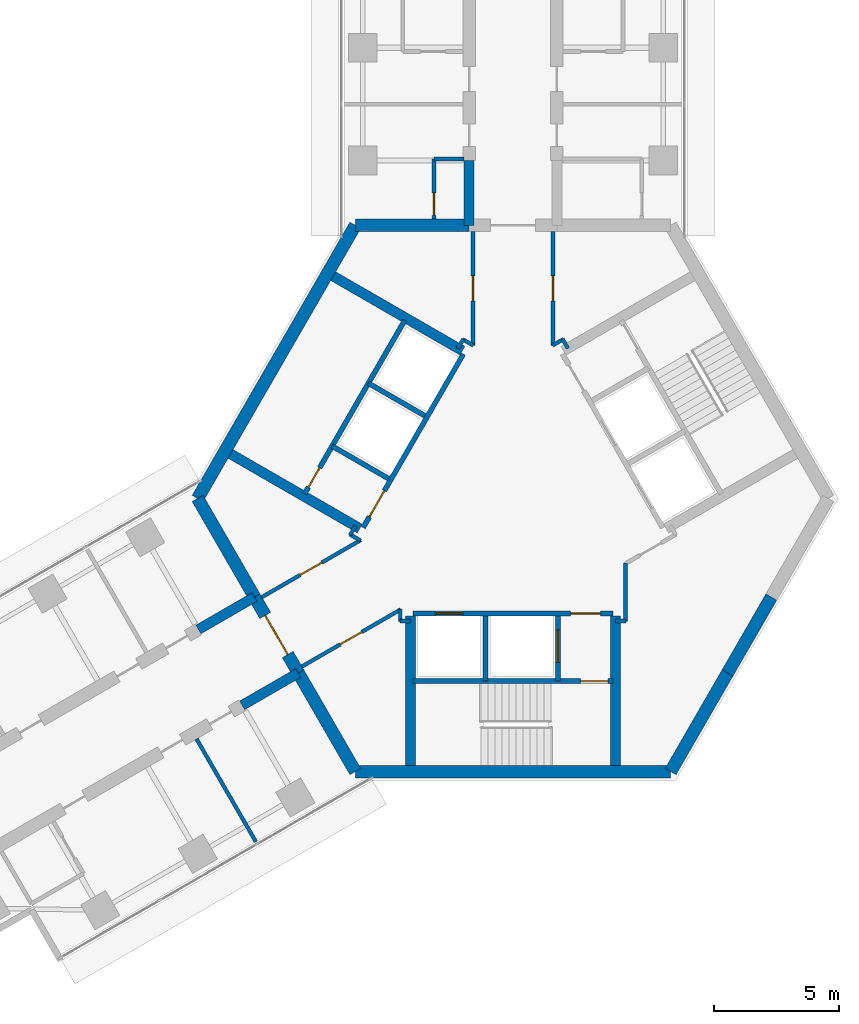
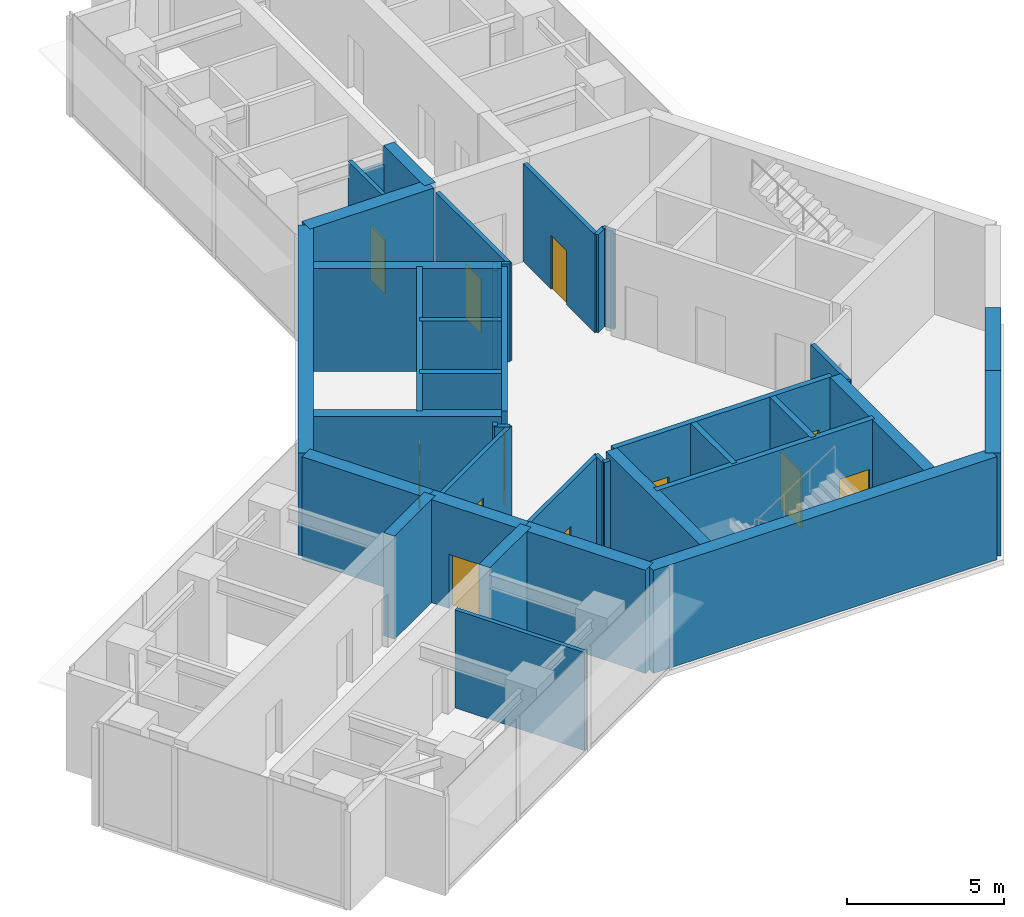
# One storey, part 14 of 17: 40 walls, 12 doors, 12 openings.
"""IFC4 building model written with IfcOpenShell, lengths in metres."""

from ifc_helpers import new_model, si_unit, direction, frame, frame_2d, origin, place, context, subcontext, project, spatial, rectangle, extrude, material, layer, layer_set, type_object, element, fill, save


model = new_model("IFC4")

# Units and contexts
model_context = context("Model", 3, precision=1e-05, world=origin(), true_north=direction((0.0, 1.0)))
body_context = subcontext(model_context, "Body", "Model", "MODEL_VIEW")
ifc_project = project(units=[si_unit("LENGTHUNIT", "METRE"), si_unit("AREAUNIT", "SQUARE_METRE"), si_unit("VOLUMEUNIT", "CUBIC_METRE"), si_unit("PLANEANGLEUNIT", "RADIAN"), si_unit("MASSUNIT", "GRAM", prefix="KILO")], contexts=[model_context])

# Site, building, storey
site_placement = place(None, origin())
site = spatial("IfcSite", under=ifc_project, at=site_placement, CompositionType="ELEMENT")
building_placement = place(site_placement, origin())
building = spatial("IfcBuilding", under=site, at=building_placement, Name="Upepo Twin Towers", CompositionType="ELEMENT")
storey_placement = place(building_placement, frame((0.0, 0.0, 202.5)))
storey = spatial("IfcBuildingStorey", under=building, at=storey_placement, Name="L49", CompositionType="ELEMENT", Elevation=202.5)

# Walls
ifc_material_1 = material(Name="Concrete C60/75", Category="concrete")
ifc_layer_1 = layer(ifc_material_1, 0.39990234375)
ifc_layer_set_1 = layer_set([ifc_layer_1], Name="Concrete C60/75")
wall_type_1 = type_object("IfcWallType", Name="Buttress wall 400 RC", PredefinedType="SHEAR", material=ifc_layer_set_1)
wall_1_placement = place(storey_placement, frame((56.75, -7.091552734375, 0.0), z_axis=(0.0, 0.0, 1.0), x_axis=(0.0, 1.0, 0.0)))
element("IfcWall", 1, at=wall_1_placement, inside=storey, type_object=wall_type_1, Name="T2 wing A buttress wall L", PredefinedType="SHEAR", context=body_context, shape_type="SweptSolid", body=[
    extrude(rectangle(XDim=2.591552734375, YDim=0.39990234375, at=frame_2d((1.2958984375, 0.0))), origin(), (0.0, 0.0, 1.0), 4.0),
])
for number, where, z_axis, x_axis, name in (
    (2, (49.92822265625, -24.9697265625, 0.0), (0.0, 0.0, 1.0), (-0.866031863473, -0.499988811324, 0.0), "T2 wing B buttress wall L"),
    (3, (48.17822265625, -21.938720703125, 0.0), (0.0, 0.0, 1.0), (-0.866072649678, -0.499918158782, 0.0), "T2 wing B buttress wall R"),
):
    element("IfcWall", number, at=place(storey_placement, frame(where, z_axis=z_axis, x_axis=x_axis)), inside=storey, type_object=wall_type_1, Name=name, PredefinedType="SHEAR", context=body_context, shape_type="SweptSolid", body=[
        extrude(rectangle(XDim=2.591796875, YDim=0.39990234375, at=frame_2d((1.2958984375, 0.0))), origin(), (0.0, 0.0, 1.0), 4.0),
    ])
ifc_material_2 = material(Name="Concrete C60/75", Category="concrete")
ifc_layer_2 = layer(ifc_material_2, 0.5)
ifc_layer_set_2 = layer_set([ifc_layer_2], Name="Concrete C60/75")
wall_type_2 = type_object("IfcWallType", Name="Core wall 500 RC", PredefinedType="SHEAR", material=ifc_layer_set_2)
wall_2_placement = place(storey_placement, frame((56.75, -7.091552734375, 0.0), z_axis=(0.0, 0.0, 1.0), x_axis=(-1.0, 0.0, 0.0)))
element("IfcWall", 4, at=wall_2_placement, inside=storey, type_object=wall_type_2, Name="T2 core wall 000 L", PredefinedType="SHEAR", context=body_context, shape_type="SweptSolid", body=[
    extrude(rectangle(XDim=4.5478515625, YDim=0.5, at=frame_2d((2.27392578125, 0.0))), origin(), (0.0, 0.0, 1.0), 4.0),
])
wall_3_placement = place(storey_placement, frame((52.2021484375, -7.091552734375, 0.0), z_axis=(0.0, 0.0, 1.0), x_axis=(-0.500005998175, -0.866021940709, 0.0)))
element("IfcWall", 5, at=wall_3_placement, inside=storey, type_object=wall_type_2, Name="T2 core wall 060", PredefinedType="SHEAR", context=body_context, shape_type="SweptSolid", body=[
    extrude(rectangle(XDim=12.595947265625, YDim=0.5, at=frame_2d((6.2978515625, 0.0))), origin(), (0.0, 0.0, 1.0), 4.0),
])
wall_4_placement = place(storey_placement, frame((45.904052734375, -18.0, 0.0), z_axis=(0.0, 0.0, 1.0), x_axis=(0.500024481964, -0.866011268655, 0.0)))
element("IfcWall", 6, at=wall_4_placement, inside=storey, type_object=wall_type_2, Name="T2 core wall 120 R", PredefinedType="SHEAR", context=body_context, shape_type="SweptSolid", body=[
    extrude(rectangle(XDim=4.548095703125, YDim=0.5, at=frame_2d((2.27392578125, 0.0))), origin(), (0.0, 0.0, 1.0), 4.0),
])

# Wall, opening, door
wall_5_placement = place(storey_placement, frame((48.17822265625, -21.938720703125, 0.0), z_axis=(0.0, 0.0, 1.0), x_axis=(0.500010275428, -0.866019471182, 0.0)))
wall_5 = element("IfcWall", 7, at=wall_5_placement, inside=storey, type_object=wall_type_2, Name="T2 core wall 120", PredefinedType="SHEAR", context=body_context, shape_type="SweptSolid", body=[
    extrude(rectangle(XDim=3.5, YDim=0.5, at=frame_2d((1.75, 0.0))), origin(), (0.0, 0.0, 1.0), 4.0),
])
opening_1_placement = place(wall_5_placement, frame((0.85009765625, 0.0, 0.0)))
opening_1 = element("IfcOpeningElement", 8, at=opening_1_placement, cuts=wall_5, Name="Opening D2", PredefinedType="OPENING", context=body_context, shape_type="SweptSolid", body=[
    extrude(rectangle(XDim=1.800048828125, YDim=2.10009765625, at=frame_2d((0.89990234375, 1.050048828125))), frame((0.0, 0.260009765625, 0.0), z_axis=(0.0, -1.0, 0.0), x_axis=(1.0, 0.0, 0.0)), (0.0, 0.0, 1.0), 0.52001953125),
])
ifc_material_3 = material(Name="Timber doorset", Category="wood")
door_type_1 = type_object("IfcDoorType", Name="Corridor double door 1800 FD60", OperationType="DOUBLE_DOOR_DOUBLE_SWING", PredefinedType="DOOR", material=ifc_material_3)
door_1_placement = place(opening_1_placement, origin())
door_1 = element("IfcDoor", 9, at=door_1_placement, inside=storey, type_object=door_type_1, Name="T2 L49 wing B corridor door", OperationType="DOUBLE_DOOR_DOUBLE_SWING", OverallHeight=2.10009765625, OverallWidth=1.800048828125, PredefinedType="DOOR", context=body_context, shape_type="SweptSolid", body=[
    extrude(rectangle(XDim=1.800048828125, YDim=2.10009765625, at=frame_2d((0.89990234375, 1.050048828125))), frame((0.0, 0.02490234375, 0.0), z_axis=(0.0, -1.0, 0.0), x_axis=(1.0, 0.0, 0.0)), (0.0, 0.0, 1.0), 0.050048828125),
])
fill(opening_1, door_1)

# Walls
wall_6_placement = place(storey_placement, frame((49.92822265625, -24.9697265625, 0.0), z_axis=(0.0, 0.0, 1.0), x_axis=(0.499984222037, -0.866034513004, 0.0)))
element("IfcWall", 10, at=wall_6_placement, inside=storey, type_object=wall_type_2, Name="T2 core wall 120 L", PredefinedType="SHEAR", context=body_context, shape_type="SweptSolid", body=[
    extrude(rectangle(XDim=4.548095703125, YDim=0.5, at=frame_2d((2.27392578125, 0.0))), origin(), (0.0, 0.0, 1.0), 4.0),
])
wall_7_placement = place(storey_placement, frame((52.2021484375, -28.908447265625, 0.0), z_axis=(0.0, 0.0, 1.0), x_axis=(1.0, 0.0, 0.0)))
element("IfcWall", 11, at=wall_7_placement, inside=storey, type_object=wall_type_2, Name="T2 core wall 180", PredefinedType="SHEAR", context=body_context, shape_type="SweptSolid", body=[
    extrude(rectangle(XDim=12.595703125, YDim=0.5, at=frame_2d((6.2978515625, 0.0))), origin(), (0.0, 0.0, 1.0), 4.0),
])
wall_8_placement = place(storey_placement, frame((64.7978515625, -28.908447265625, 0.0), z_axis=(0.0, 0.0, 1.0), x_axis=(0.499984222037, 0.866034513004, 0.0)))
element("IfcWall", 12, at=wall_8_placement, inside=storey, type_object=wall_type_2, Name="T2 core wall 240 R", PredefinedType="SHEAR", context=body_context, shape_type="SweptSolid", body=[
    extrude(rectangle(XDim=4.548095703125, YDim=0.5, at=frame_2d((2.27392578125, 0.0))), origin(), (0.0, 0.0, 1.0), 4.0),
])
wall_9_placement = place(storey_placement, frame((67.07177734375, -24.9697265625, 0.0), z_axis=(0.0, 0.0, 1.0), x_axis=(0.500010275428, 0.866019471182, 0.0)))
element("IfcWall", 13, at=wall_9_placement, inside=storey, type_object=wall_type_2, Name="T2 core wall 240", PredefinedType="SHEAR", context=body_context, shape_type="SweptSolid", body=[
    extrude(rectangle(XDim=3.5, YDim=0.5, at=frame_2d((1.75, 0.0))), origin(), (0.0, 0.0, 1.0), 4.0),
])

# Wall, opening, door
ifc_material_4 = material(Name="Concrete C40/50", Category="concrete")
ifc_layer_3 = layer(ifc_material_4, 0.199951171875)
ifc_layer_set_3 = layer_set([ifc_layer_3], Name="Concrete C40/50")
wall_type_3 = type_object("IfcWallType", Name="Shaft wall 200 RC", PredefinedType="SHEAR", material=ifc_layer_set_3)
wall_10_placement = place(storey_placement, frame((56.516357421875, -12.23583984375, 0.0), z_axis=(0.0, 0.0, 1.0), x_axis=(-0.49999894854, -0.866026010844, 0.0)))
wall_10 = element("IfcWall", 14, at=wall_10_placement, inside=storey, type_object=wall_type_3, Name="T2 core W60 front wall", PredefinedType="SHEAR", context=body_context, shape_type="SweptSolid", body=[
    extrude(rectangle(XDim=8.0, YDim=0.199951171875, at=frame_2d((4.0, 0.0))), origin(), (0.0, 0.0, 1.0), 4.0),
])
opening_2_placement = place(wall_10_placement, frame((6.300048828125, 0.0, 0.0)))
opening_2 = element("IfcOpeningElement", 15, at=opening_2_placement, cuts=wall_10, Name="Opening D4", PredefinedType="OPENING", context=body_context, shape_type="SweptSolid", body=[
    extrude(rectangle(XDim=1.199951171875, YDim=2.10009765625, at=frame_2d((0.60009765625, 1.050048828125))), frame((0.0, 0.10986328125, 0.0), z_axis=(0.0, -1.0, 0.0), x_axis=(1.0, 0.0, 0.0)), (0.0, 0.0, 1.0), 0.219970703125),
])
ifc_material_5 = material(Name="Timber doorset", Category="wood")
door_type_2 = type_object("IfcDoorType", Name="Lobby door 1200 FD60", OperationType="SINGLE_SWING_LEFT", PredefinedType="DOOR", material=ifc_material_5)
door_2_placement = place(opening_2_placement, origin())
door_2 = element("IfcDoor", 16, at=door_2_placement, inside=storey, type_object=door_type_2, Name="T2 L49 W60 lobby door", OperationType="SINGLE_SWING_RIGHT", OverallHeight=2.10009765625, OverallWidth=1.199951171875, PredefinedType="DOOR", context=body_context, shape_type="SweptSolid", body=[
    extrude(rectangle(XDim=1.199951171875, YDim=2.10009765625, at=frame_2d((0.60009765625, 1.050048828125))), frame((0.0, 0.02490234375, 0.0), z_axis=(0.0, -1.0, 0.0), x_axis=(1.0, 0.0, 0.0)), (0.0, 0.0, 1.0), 0.050048828125),
])
fill(opening_2, door_2)

# Walls
for number, where, z_axis, x_axis, name in (
    (17, (54.979736328125, -14.697265625, 0.0), (0.0, 0.0, 1.0), (-0.866062058628, 0.499936506574, 0.0), "T2 core W60 shaft divider"),
    (18, (53.52978515625, -17.208740234375, 0.0), (0.0, 0.0, 1.0), (-0.866062058628, 0.499936506574, 0.0), "T2 core W60 lobby wall"),
):
    element("IfcWall", number, at=place(storey_placement, frame(where, z_axis=z_axis, x_axis=x_axis)), inside=storey, type_object=wall_type_3, Name=name, PredefinedType="SHEAR", context=body_context, shape_type="SweptSolid", body=[
        extrude(rectangle(XDim=2.599853515625, YDim=0.199951171875, at=frame_2d((1.2998046875, 0.0))), origin(), (0.0, 0.0, 1.0), 4.0),
    ])

# Wall, opening, door
wall_11_placement = place(storey_placement, frame((54.177978515625, -10.885986328125, 0.0), z_axis=(0.0, 0.0, 1.0), x_axis=(-0.49999894854, -0.866026010844, 0.0)))
wall_11 = element("IfcWall", 19, at=wall_11_placement, inside=storey, type_object=wall_type_3, Name="T2 core W60 stair wall", PredefinedType="SHEAR", context=body_context, shape_type="SweptSolid", body=[
    extrude(rectangle(XDim=8.0, YDim=0.199951171875, at=frame_2d((4.0, 0.0))), origin(), (0.0, 0.0, 1.0), 4.0),
])
opening_3_placement = place(wall_11_placement, frame((6.800048828125, 0.0, 0.0)))
opening_3 = element("IfcOpeningElement", 20, at=opening_3_placement, cuts=wall_11, Name="Opening D9", PredefinedType="OPENING", context=body_context, shape_type="SweptSolid", body=[
    extrude(rectangle(XDim=0.89990234375, YDim=2.10009765625, at=frame_2d((0.449951171875, 1.050048828125))), frame((0.0, 0.10986328125, 0.0), z_axis=(0.0, -1.0, 0.0), x_axis=(1.0, 0.0, 0.0)), (0.0, 0.0, 1.0), 0.219970703125),
])
ifc_material_6 = material(Name="Timber doorset", Category="wood")
door_type_3 = type_object("IfcDoorType", Name="Riser door 900 FD60", OperationType="SINGLE_SWING_LEFT", PredefinedType="DOOR", material=ifc_material_6)
door_3_placement = place(opening_3_placement, origin())
door_3 = element("IfcDoor", 21, at=door_3_placement, inside=storey, type_object=door_type_3, Name="T2 L49 riser door", OperationType="SINGLE_SWING_RIGHT", OverallHeight=2.10009765625, OverallWidth=0.89990234375, PredefinedType="DOOR", context=body_context, shape_type="SweptSolid", body=[
    extrude(rectangle(XDim=0.89990234375, YDim=2.10009765625, at=frame_2d((0.449951171875, 1.050048828125))), frame((0.0, 0.02490234375, 0.0), z_axis=(0.0, -1.0, 0.0), x_axis=(1.0, 0.0, 0.0)), (0.0, 0.0, 1.0), 0.050048828125),
])
fill(opening_3, door_3)

# Wall, openings, doors
wall_12_placement = place(storey_placement, frame((54.5, -22.60009765625, 0.0), z_axis=(0.0, 0.0, 1.0), x_axis=(1.0, 0.0, 0.0)))
wall_12 = element("IfcWall", 22, at=wall_12_placement, inside=storey, type_object=wall_type_3, Name="T2 core W180 front wall", PredefinedType="SHEAR", context=body_context, shape_type="SweptSolid", body=[
    extrude(rectangle(XDim=8.0, YDim=0.199951171875, at=frame_2d((4.0, 0.0))), origin(), (0.0, 0.0, 1.0), 4.0),
])
opening_4_placement = place(wall_12_placement, frame((6.300048828125, 0.0, 0.0)))
opening_4 = element("IfcOpeningElement", 23, at=opening_4_placement, cuts=wall_12, Name="Opening D4", PredefinedType="OPENING", context=body_context, shape_type="SweptSolid", body=[
    extrude(rectangle(XDim=1.199951171875, YDim=2.10009765625, at=frame_2d((0.60009765625, 1.050048828125))), frame((0.0, 0.10986328125, 0.0), z_axis=(0.0, -1.0, 0.0), x_axis=(1.0, 0.0, 0.0)), (0.0, 0.0, 1.0), 0.219970703125),
])
opening_5_placement = place(wall_12_placement, frame((0.89990234375, 0.0, 0.0)))
opening_5 = element("IfcOpeningElement", 24, at=opening_5_placement, cuts=wall_12, Name="Opening LD1", PredefinedType="OPENING", context=body_context, shape_type="SweptSolid", body=[
    extrude(rectangle(XDim=1.10009765625, YDim=2.199951171875, at=frame_2d((0.550048828125, 1.10009765625))), frame((0.0, 0.10986328125, 0.0), z_axis=(0.0, -1.0, 0.0), x_axis=(1.0, 0.0, 0.0)), (0.0, 0.0, 1.0), 0.219970703125),
])
ifc_material_7 = material(Name="Steel doorset", Category="steel")
door_type_4 = type_object("IfcDoorType", Name="Lift landing door 1100", OperationType="DOUBLE_DOOR_SLIDING", PredefinedType="DOOR", material=ifc_material_7)
door_4_placement = place(opening_5_placement, origin())
door_4 = element("IfcDoor", 25, at=door_4_placement, inside=storey, type_object=door_type_4, Name="T2 L49 lift SV1 landing door", OperationType="DOUBLE_DOOR_SLIDING", OverallHeight=2.199951171875, OverallWidth=1.10009765625, PredefinedType="DOOR", context=body_context, shape_type="SweptSolid", body=[
    extrude(rectangle(XDim=1.10009765625, YDim=2.199951171875, at=frame_2d((0.550048828125, 1.10009765625))), frame((0.0, 0.02490234375, 0.0), z_axis=(0.0, -1.0, 0.0), x_axis=(1.0, 0.0, 0.0)), (0.0, 0.0, 1.0), 0.050048828125),
])
fill(opening_5, door_4)
door_5_placement = place(opening_4_placement, origin())
door_5 = element("IfcDoor", 26, at=door_5_placement, inside=storey, type_object=door_type_2, Name="T2 L49 W180 lobby door", OperationType="SINGLE_SWING_RIGHT", OverallHeight=2.10009765625, OverallWidth=1.199951171875, PredefinedType="DOOR", context=body_context, shape_type="SweptSolid", body=[
    extrude(rectangle(XDim=1.199951171875, YDim=2.10009765625, at=frame_2d((0.60009765625, 1.050048828125))), frame((0.0, 0.02490234375, 0.0), z_axis=(0.0, -1.0, 0.0), x_axis=(1.0, 0.0, 0.0)), (0.0, 0.0, 1.0), 0.050048828125),
])
fill(opening_4, door_5)

# Wall
wall_13_placement = place(storey_placement, frame((57.39990234375, -22.699951171875, 0.0), z_axis=(0.0, 0.0, 1.0), x_axis=(0.0, -1.0, 0.0)))
element("IfcWall", 27, at=wall_13_placement, inside=storey, type_object=wall_type_3, Name="T2 core W180 shaft divider", PredefinedType="SHEAR", context=body_context, shape_type="SweptSolid", body=[
    extrude(rectangle(XDim=2.60009765625, YDim=0.199951171875, at=frame_2d((1.300048828125, 0.0))), origin(), (0.0, 0.0, 1.0), 4.0),
])

# Wall, opening, door
wall_14_placement = place(storey_placement, frame((60.300048828125, -22.699951171875, 0.0), z_axis=(0.0, 0.0, 1.0), x_axis=(0.0, -1.0, 0.0)))
wall_14 = element("IfcWall", 28, at=wall_14_placement, inside=storey, type_object=wall_type_3, Name="T2 core W180 lobby wall", PredefinedType="SHEAR", context=body_context, shape_type="SweptSolid", body=[
    extrude(rectangle(XDim=2.60009765625, YDim=0.199951171875, at=frame_2d((1.300048828125, 0.0))), origin(), (0.0, 0.0, 1.0), 4.0),
])
opening_6_placement = place(wall_14_placement, frame((0.550048828125, 0.0, 0.0)))
opening_6 = element("IfcOpeningElement", 29, at=opening_6_placement, cuts=wall_14, Name="Opening LD2", PredefinedType="OPENING", context=body_context, shape_type="SweptSolid", body=[
    extrude(rectangle(XDim=1.300048828125, YDim=2.199951171875, at=frame_2d((0.64990234375, 1.10009765625))), frame((0.0, 0.10986328125, 0.0), z_axis=(0.0, -1.0, 0.0), x_axis=(1.0, 0.0, 0.0)), (0.0, 0.0, 1.0), 0.219970703125),
])
ifc_material_8 = material(Name="Steel doorset", Category="steel")
door_type_5 = type_object("IfcDoorType", Name="Firefighting lift landing door 1300", OperationType="DOUBLE_DOOR_SLIDING", PredefinedType="DOOR", material=ifc_material_8)
door_6_placement = place(opening_6_placement, origin())
door_6 = element("IfcDoor", 30, at=door_6_placement, inside=storey, type_object=door_type_5, Name="T2 L49 firefighting lift landing door", OperationType="DOUBLE_DOOR_SLIDING", OverallHeight=2.199951171875, OverallWidth=1.300048828125, PredefinedType="DOOR", context=body_context, shape_type="SweptSolid", body=[
    extrude(rectangle(XDim=1.300048828125, YDim=2.199951171875, at=frame_2d((0.64990234375, 1.10009765625))), frame((0.0, 0.02490234375, 0.0), z_axis=(0.0, -1.0, 0.0), x_axis=(1.0, 0.0, 0.0)), (0.0, 0.0, 1.0), 0.050048828125),
])
fill(opening_6, door_6)

wall_15_placement = place(storey_placement, frame((54.5, -25.300048828125, 0.0), z_axis=(0.0, 0.0, 1.0), x_axis=(1.0, 0.0, 0.0)))
wall_15 = element("IfcWall", 31, at=wall_15_placement, inside=storey, type_object=wall_type_3, Name="T2 core W180 stair wall", PredefinedType="SHEAR", context=body_context, shape_type="SweptSolid", body=[
    extrude(rectangle(XDim=8.0, YDim=0.199951171875, at=frame_2d((4.0, 0.0))), origin(), (0.0, 0.0, 1.0), 4.0),
])
opening_7_placement = place(wall_15_placement, frame((6.699951171875, 0.0, 0.0)))
opening_7 = element("IfcOpeningElement", 32, at=opening_7_placement, cuts=wall_15, Name="Opening D3", PredefinedType="OPENING", context=body_context, shape_type="SweptSolid", body=[
    extrude(rectangle(XDim=1.10009765625, YDim=2.10009765625, at=frame_2d((0.550048828125, 1.050048828125))), frame((0.0, 0.10986328125, 0.0), z_axis=(0.0, -1.0, 0.0), x_axis=(1.0, 0.0, 0.0)), (0.0, 0.0, 1.0), 0.219970703125),
])
ifc_material_9 = material(Name="Timber doorset", Category="wood")
door_type_6 = type_object("IfcDoorType", Name="Stair door 1100 FD60", OperationType="SINGLE_SWING_LEFT", PredefinedType="DOOR", material=ifc_material_9)
door_7_placement = place(opening_7_placement, origin())
door_7 = element("IfcDoor", 33, at=door_7_placement, inside=storey, type_object=door_type_6, Name="T2 L49 stair door", OperationType="SINGLE_SWING_RIGHT", OverallHeight=2.10009765625, OverallWidth=1.10009765625, PredefinedType="DOOR", context=body_context, shape_type="SweptSolid", body=[
    extrude(rectangle(XDim=1.10009765625, YDim=2.10009765625, at=frame_2d((0.550048828125, 1.050048828125))), frame((0.0, 0.02490234375, 0.0), z_axis=(0.0, -1.0, 0.0), x_axis=(1.0, 0.0, 0.0)), (0.0, 0.0, 1.0), 0.050048828125),
])
fill(opening_7, door_7)

# Walls
ifc_material_10 = material(Name="Concrete C40/50", Category="concrete")
ifc_layer_4 = layer(ifc_material_10, 0.39990234375)
ifc_layer_set_4 = layer_set([ifc_layer_4], Name="Concrete C40/50")
wall_type_4 = type_object("IfcWallType", Name="Shaft wall 400 RC", PredefinedType="SHEAR", material=ifc_layer_set_4)
wall_16_placement = place(storey_placement, frame((52.379638671875, -19.20068359375, 0.0), z_axis=(0.0, 0.0, 1.0), x_axis=(-0.866012946976, 0.500021575205, 0.0)))
element("IfcWall", 34, at=wall_16_placement, inside=storey, type_object=wall_type_4, Name="T2 core W60 side wall N", PredefinedType="SHEAR", context=body_context, shape_type="SweptSolid", body=[
    extrude(rectangle(XDim=5.958251953125, YDim=0.39990234375, at=frame_2d((2.97900390625, 0.0))), origin(), (0.0, 0.0, 1.0), 4.0),
])
for number, where, z_axis, x_axis, name in (
    (35, (56.479736328125, -12.099365234375, 0.0), (0.0, 0.0, 1.0), (-0.86602319114, 0.500003832394, 0.0), "T2 core W60 side wall S"),
    (36, (62.60009765625, -22.699951171875, 0.0), (0.0, 0.0, 1.0), (0.0, -1.0, 0.0), "T2 core W180 side wall N"),
    (37, (54.39990234375, -22.699951171875, 0.0), (0.0, 0.0, 1.0), (0.0, -1.0, 0.0), "T2 core W180 side wall S"),
):
    element("IfcWall", number, at=place(storey_placement, frame(where, z_axis=z_axis, x_axis=x_axis)), inside=storey, type_object=wall_type_4, Name=name, PredefinedType="SHEAR", context=body_context, shape_type="SweptSolid", body=[
        extrude(rectangle(XDim=5.95849609375, YDim=0.39990234375, at=frame_2d((2.979248046875, 0.0))), origin(), (0.0, 0.0, 1.0), 4.0),
    ])

# Wall, opening, door
ifc_material_11 = material(Name="Gypsum board on steel studs", Category="steel")
ifc_layer_5 = layer(ifc_material_11, 0.14990234375)
ifc_layer_set_5 = layer_set([ifc_layer_5], Name="Teaching partition 150 acoustic")
wall_type_5 = type_object("IfcWallType", Name="Teaching partition 150 acoustic", PredefinedType="PARTITIONING", material=ifc_layer_set_5)
wall_17_placement = place(storey_placement, frame((55.35009765625, -6.842041015625, 0.0), z_axis=(0.0, 0.0, 1.0), x_axis=(0.0, 1.0, 0.0)))
wall_17 = element("IfcWall", 38, at=wall_17_placement, inside=storey, type_object=wall_type_5, Name="T2 WC bay partition AL at 11.16", PredefinedType="PARTITIONING", context=body_context, shape_type="SweptSolid", body=[
    extrude(rectangle(XDim=2.400146484375, YDim=0.14990234375, at=frame_2d((1.2001953125, 0.0))), origin(), (0.0, 0.0, 1.0), 3.800048828125),
])
opening_8_placement = place(wall_17_placement, frame((0.14990234375, 0.0, 0.0)))
opening_8 = element("IfcOpeningElement", 39, at=opening_8_placement, cuts=wall_17, Name="Opening D14", PredefinedType="OPENING", context=body_context, shape_type="SweptSolid", body=[
    extrude(rectangle(XDim=0.89990234375, YDim=2.10009765625, at=frame_2d((0.449951171875, 1.050048828125))), frame((0.0, 0.0849609375, 0.0), z_axis=(0.0, -1.0, 0.0), x_axis=(1.0, 0.0, 0.0)), (0.0, 0.0, 1.0), 0.169921875),
])
ifc_material_12 = material(Name="Timber doorset", Category="wood")
door_type_7 = type_object("IfcDoorType", Name="Office door 900 FD30", OperationType="SINGLE_SWING_LEFT", PredefinedType="DOOR", material=ifc_material_12)
door_8_placement = place(opening_8_placement, origin())
door_8 = element("IfcDoor", 40, at=door_8_placement, inside=storey, type_object=door_type_7, Name="T2 L49 WC bay inner room door", OperationType="SINGLE_SWING_LEFT", OverallHeight=2.10009765625, OverallWidth=0.89990234375, PredefinedType="DOOR", context=body_context, shape_type="SweptSolid", body=[
    extrude(rectangle(XDim=0.89990234375, YDim=2.10009765625, at=frame_2d((0.449951171875, 1.050048828125))), frame((0.0, 0.02490234375, 0.0), z_axis=(0.0, -1.0, 0.0), x_axis=(1.0, 0.0, 0.0)), (0.0, 0.0, 1.0), 0.050048828125),
])
fill(opening_8, door_8)

# Walls
wall_18_placement = place(storey_placement, frame((56.550048828125, -4.44189453125, 0.0), z_axis=(0.0, 0.0, 1.0), x_axis=(-1.0, 0.0, 0.0)))
element("IfcWall", 41, at=wall_18_placement, inside=storey, type_object=wall_type_5, Name="T2 WC bay partition AL end at 13.56", PredefinedType="PARTITIONING", context=body_context, shape_type="SweptSolid", body=[
    extrude(rectangle(XDim=1.199951171875, YDim=0.14990234375, at=frame_2d((0.60009765625, 0.0))), origin(), (0.0, 0.0, 1.0), 3.266845703125),
])
wall_19_placement = place(storey_placement, frame((45.860107421875, -27.60693359375, 0.0), z_axis=(0.0, 0.0, 1.0), x_axis=(0.499986429846, -0.866033238375, 0.0)))
element("IfcWall", 42, at=wall_19_placement, inside=storey, type_object=wall_type_5, Name="T2 partition BL at 15.75", PredefinedType="PARTITIONING", context=body_context, shape_type="SweptSolid", body=[
    extrude(rectangle(XDim=4.750244140625, YDim=0.14990234375, at=frame_2d((2.375, 0.0))), origin(), (0.0, 0.0, 1.0), 3.800048828125),
])
for number, where, z_axis, x_axis, name in (
    (43, (63.02001953125, -22.89990234375, 0.0), (0.0, 0.0, 1.0), (-1.0, 0.0, 0.0), "T2 core room partition 1"),
    (44, (54.409912109375, -22.89990234375, 0.0), (0.0, 0.0, 1.0), (-1.0, 0.0, 0.0), "T2 core room partition 2"),
):
    element("IfcWall", number, at=place(storey_placement, frame(where, z_axis=z_axis, x_axis=x_axis)), inside=storey, type_object=wall_type_5, Name=name, PredefinedType="PARTITIONING", context=body_context, shape_type="SweptSolid", body=[
        extrude(rectangle(XDim=0.429931640625, YDim=0.14990234375, at=frame_2d((0.21484375, 0.0))), origin(), (0.0, 0.0, 1.0), 3.800048828125),
    ])
wall_20_placement = place(storey_placement, frame((54.0, -22.919921875, 0.0), z_axis=(0.0, 0.0, 1.0), x_axis=(0.0, 1.0, 0.0)))
element("IfcWall", 45, at=wall_20_placement, inside=storey, type_object=wall_type_5, Name="T2 core room partition 3", PredefinedType="PARTITIONING", context=body_context, shape_type="SweptSolid", body=[
    extrude(rectangle(XDim=0.494384765625, YDim=0.14990234375, at=frame_2d((0.2470703125, 0.0))), origin(), (0.0, 0.0, 1.0), 3.800048828125),
])

# Wall, opening, door
wall_21_placement = place(storey_placement, frame((54.017333984375, -22.435546875, 0.0), z_axis=(0.0, 0.0, 1.0), x_axis=(-0.866024503882, -0.500001558674, 0.0)))
wall_21 = element("IfcWall", 46, at=wall_21_placement, inside=storey, type_object=wall_type_5, Name="T2 core room partition 4", PredefinedType="PARTITIONING", context=body_context, shape_type="SweptSolid", body=[
    extrude(rectangle(XDim=4.568359375, YDim=0.14990234375, at=frame_2d((2.2841796875, 0.0))), origin(), (0.0, 0.0, 1.0), 3.800048828125),
])
opening_9_placement = place(wall_21_placement, frame((1.794189453125, 0.0, 0.0)))
opening_9 = element("IfcOpeningElement", 47, at=opening_9_placement, cuts=wall_21, Name="Opening D1", PredefinedType="OPENING", context=body_context, shape_type="SweptSolid", body=[
    extrude(rectangle(XDim=1.0, YDim=2.10009765625, at=frame_2d((0.5, 1.050048828125))), frame((0.0, 0.0849609375, 0.0), z_axis=(0.0, -1.0, 0.0), x_axis=(1.0, 0.0, 0.0)), (0.0, 0.0, 1.0), 0.169921875),
])
ifc_material_13 = material(Name="Timber doorset", Category="wood")
door_type_8 = type_object("IfcDoorType", Name="Room door 1000 FD30", OperationType="SINGLE_SWING_LEFT", PredefinedType="DOOR", material=ifc_material_13)
door_9_placement = place(opening_9_placement, origin())
door_9 = element("IfcDoor", 48, at=door_9_placement, inside=storey, type_object=door_type_8, Name="T2 L49 core room door K2", OperationType="SINGLE_SWING_RIGHT", OverallHeight=2.10009765625, OverallWidth=1.0, PredefinedType="DOOR", context=body_context, shape_type="SweptSolid", body=[
    extrude(rectangle(XDim=1.0, YDim=2.10009765625, at=frame_2d((0.5, 1.050048828125))), frame((0.0, 0.02490234375, 0.0), z_axis=(0.0, -1.0, 0.0), x_axis=(1.0, 0.0, 0.0)), (0.0, 0.0, 1.0), 0.050048828125),
])
fill(opening_9, door_9)

wall_22_placement = place(storey_placement, frame((48.4609375, -21.948486328125, 0.0), z_axis=(0.0, 0.0, 1.0), x_axis=(0.866024503882, 0.500001558674, 0.0)))
wall_22 = element("IfcWall", 49, at=wall_22_placement, inside=storey, type_object=wall_type_5, Name="T2 core room partition 5", PredefinedType="PARTITIONING", context=body_context, shape_type="SweptSolid", body=[
    extrude(rectangle(XDim=4.568359375, YDim=0.14990234375, at=frame_2d((2.2841796875, 0.0))), origin(), (0.0, 0.0, 1.0), 3.800048828125),
])
opening_10_placement = place(wall_22_placement, frame((1.774169921875, 0.0, 0.0)))
opening_10 = element("IfcOpeningElement", 50, at=opening_10_placement, cuts=wall_22, Name="Opening D1", PredefinedType="OPENING", context=body_context, shape_type="SweptSolid", body=[
    extrude(rectangle(XDim=1.0, YDim=2.10009765625, at=frame_2d((0.5, 1.050048828125))), frame((0.0, 0.0849609375, 0.0), z_axis=(0.0, -1.0, 0.0), x_axis=(1.0, 0.0, 0.0)), (0.0, 0.0, 1.0), 0.169921875),
])
door_10_placement = place(opening_10_placement, origin())
door_10 = element("IfcDoor", 51, at=door_10_placement, inside=storey, type_object=door_type_8, Name="T2 L49 core room door K1", OperationType="SINGLE_SWING_LEFT", OverallHeight=2.10009765625, OverallWidth=1.0, PredefinedType="DOOR", context=body_context, shape_type="SweptSolid", body=[
    extrude(rectangle(XDim=1.0, YDim=2.10009765625, at=frame_2d((0.5, 1.050048828125))), frame((0.0, 0.02490234375, 0.0), z_axis=(0.0, -1.0, 0.0), x_axis=(1.0, 0.0, 0.0)), (0.0, 0.0, 1.0), 0.050048828125),
])
fill(opening_10, door_10)

# Walls
wall_23_placement = place(storey_placement, frame((52.417236328125, -19.684326171875, 0.0), z_axis=(0.0, 0.0, 1.0), x_axis=(-0.865831790172, 0.50033519877, 0.0)))
element("IfcWall", 52, at=wall_23_placement, inside=storey, type_object=wall_type_5, Name="T2 core room partition 6", PredefinedType="PARTITIONING", context=body_context, shape_type="SweptSolid", body=[
    extrude(rectangle(XDim=0.494384765625, YDim=0.14990234375, at=frame_2d((0.2470703125, 0.0))), origin(), (0.0, 0.0, 1.0), 3.800048828125),
])
for number, where, z_axis, x_axis, name in (
    (53, (51.99658203125, -19.46435546875, 0.0), (0.0, 0.0, 1.0), (0.499804398801, 0.866138304741, 0.0), "T2 core room partition 7"),
    (54, (56.301513671875, -12.0078125, 0.0), (0.0, 0.0, 1.0), (0.500230298122, 0.865892400268, 0.0), "T2 core room partition 8"),
):
    element("IfcWall", number, at=place(storey_placement, frame(where, z_axis=z_axis, x_axis=x_axis)), inside=storey, type_object=wall_type_5, Name=name, PredefinedType="PARTITIONING", context=body_context, shape_type="SweptSolid", body=[
        extrude(rectangle(XDim=0.429931640625, YDim=0.14990234375, at=frame_2d((0.21484375, 0.0))), origin(), (0.0, 0.0, 1.0), 3.800048828125),
    ])
wall_24_placement = place(storey_placement, frame((56.4892578125, -11.642822265625, 0.0), z_axis=(0.0, 0.0, 1.0), x_axis=(0.865831790172, -0.50033519877, 0.0)))
element("IfcWall", 55, at=wall_24_placement, inside=storey, type_object=wall_type_5, Name="T2 core room partition 9", PredefinedType="PARTITIONING", context=body_context, shape_type="SweptSolid", body=[
    extrude(rectangle(XDim=0.494384765625, YDim=0.14990234375, at=frame_2d((0.2470703125, 0.0))), origin(), (0.0, 0.0, 1.0), 3.800048828125),
])

# Wall, opening, door
wall_25_placement = place(storey_placement, frame((56.89990234375, -11.900146484375, 0.0), z_axis=(0.0, 0.0, 1.0), x_axis=(0.0, 1.0, 0.0)))
wall_25 = element("IfcWall", 56, at=wall_25_placement, inside=storey, type_object=wall_type_5, Name="T2 core room partition 10", PredefinedType="PARTITIONING", context=body_context, shape_type="SweptSolid", body=[
    extrude(rectangle(XDim=4.568359375, YDim=0.14990234375, at=frame_2d((2.2841796875, 0.0))), origin(), (0.0, 0.0, 1.0), 3.800048828125),
])
opening_11_placement = place(wall_25_placement, frame((1.79443359375, 0.0, 0.0)))
opening_11 = element("IfcOpeningElement", 57, at=opening_11_placement, cuts=wall_25, Name="Opening D1", PredefinedType="OPENING", context=body_context, shape_type="SweptSolid", body=[
    extrude(rectangle(XDim=1.0, YDim=2.10009765625, at=frame_2d((0.5, 1.050048828125))), frame((0.0, 0.0849609375, 0.0), z_axis=(0.0, -1.0, 0.0), x_axis=(1.0, 0.0, 0.0)), (0.0, 0.0, 1.0), 0.169921875),
])
door_11_placement = place(opening_11_placement, origin())
door_11 = element("IfcDoor", 58, at=door_11_placement, inside=storey, type_object=door_type_8, Name="T2 L49 core room door K5", OperationType="SINGLE_SWING_RIGHT", OverallHeight=2.10009765625, OverallWidth=1.0, PredefinedType="DOOR", context=body_context, shape_type="SweptSolid", body=[
    extrude(rectangle(XDim=1.0, YDim=2.10009765625, at=frame_2d((0.5, 1.050048828125))), frame((0.0, 0.02490234375, 0.0), z_axis=(0.0, -1.0, 0.0), x_axis=(1.0, 0.0, 0.0)), (0.0, 0.0, 1.0), 0.050048828125),
])
fill(opening_11, door_11)

wall_26_placement = place(storey_placement, frame((60.10009765625, -7.331787109375, 0.0), z_axis=(0.0, 0.0, 1.0), x_axis=(0.0, -1.0, 0.0)))
wall_26 = element("IfcWall", 59, at=wall_26_placement, inside=storey, type_object=wall_type_5, Name="T2 core room partition 11", PredefinedType="PARTITIONING", context=body_context, shape_type="SweptSolid", body=[
    extrude(rectangle(XDim=4.568359375, YDim=0.14990234375, at=frame_2d((2.2841796875, 0.0))), origin(), (0.0, 0.0, 1.0), 3.800048828125),
])
opening_12_placement = place(wall_26_placement, frame((1.774169921875, 0.0, 0.0)))
opening_12 = element("IfcOpeningElement", 60, at=opening_12_placement, cuts=wall_26, Name="Opening D1", PredefinedType="OPENING", context=body_context, shape_type="SweptSolid", body=[
    extrude(rectangle(XDim=1.0, YDim=2.10009765625, at=frame_2d((0.5, 1.050048828125))), frame((0.0, 0.0849609375, 0.0), z_axis=(0.0, -1.0, 0.0), x_axis=(1.0, 0.0, 0.0)), (0.0, 0.0, 1.0), 0.169921875),
])
door_12_placement = place(opening_12_placement, origin())
door_12 = element("IfcDoor", 61, at=door_12_placement, inside=storey, type_object=door_type_8, Name="T2 L49 core room door K4", OperationType="SINGLE_SWING_LEFT", OverallHeight=2.10009765625, OverallWidth=1.0, PredefinedType="DOOR", context=body_context, shape_type="SweptSolid", body=[
    extrude(rectangle(XDim=1.0, YDim=2.10009765625, at=frame_2d((0.5, 1.050048828125))), frame((0.0, 0.02490234375, 0.0), z_axis=(0.0, -1.0, 0.0), x_axis=(1.0, 0.0, 0.0)), (0.0, 0.0, 1.0), 0.050048828125),
])
fill(opening_12, door_12)

# Walls
wall_27_placement = place(storey_placement, frame((60.082763671875, -11.89013671875, 0.0), z_axis=(0.0, 0.0, 1.0), x_axis=(0.865831790172, 0.50033519877, 0.0)))
element("IfcWall", 62, at=wall_27_placement, inside=storey, type_object=wall_type_5, Name="T2 core room partition 12", PredefinedType="PARTITIONING", context=body_context, shape_type="SweptSolid", body=[
    extrude(rectangle(XDim=0.494384765625, YDim=0.14990234375, at=frame_2d((0.2470703125, 0.0))), origin(), (0.0, 0.0, 1.0), 3.800048828125),
])
wall_28_placement = place(storey_placement, frame((60.4833984375, -11.635498046875, 0.0), z_axis=(0.0, 0.0, 1.0), x_axis=(0.500230298122, -0.865892400268, 0.0)))
element("IfcWall", 63, at=wall_28_placement, inside=storey, type_object=wall_type_5, Name="T2 core room partition 13", PredefinedType="PARTITIONING", context=body_context, shape_type="SweptSolid", body=[
    extrude(rectangle(XDim=0.429931640625, YDim=0.14990234375, at=frame_2d((0.21484375, 0.0))), origin(), (0.0, 0.0, 1.0), 3.800048828125),
])
wall_29_placement = place(storey_placement, frame((63.0, -20.578125, 0.0), z_axis=(0.0, 0.0, 1.0), x_axis=(0.0, -1.0, 0.0)))
element("IfcWall", 64, at=wall_29_placement, inside=storey, type_object=wall_type_5, Name="T2 core room partition 16", PredefinedType="PARTITIONING", context=body_context, shape_type="SweptSolid", body=[
    extrude(rectangle(XDim=2.341796875, YDim=0.14990234375, at=frame_2d((1.1708984375, 0.0))), origin(), (0.0, 0.0, 1.0), 3.800048828125),
])

save(model, "model.ifc")
